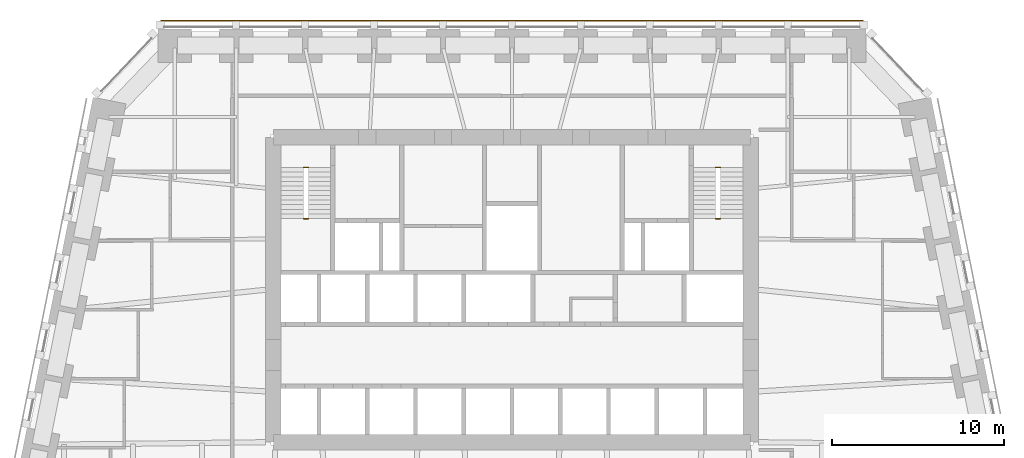
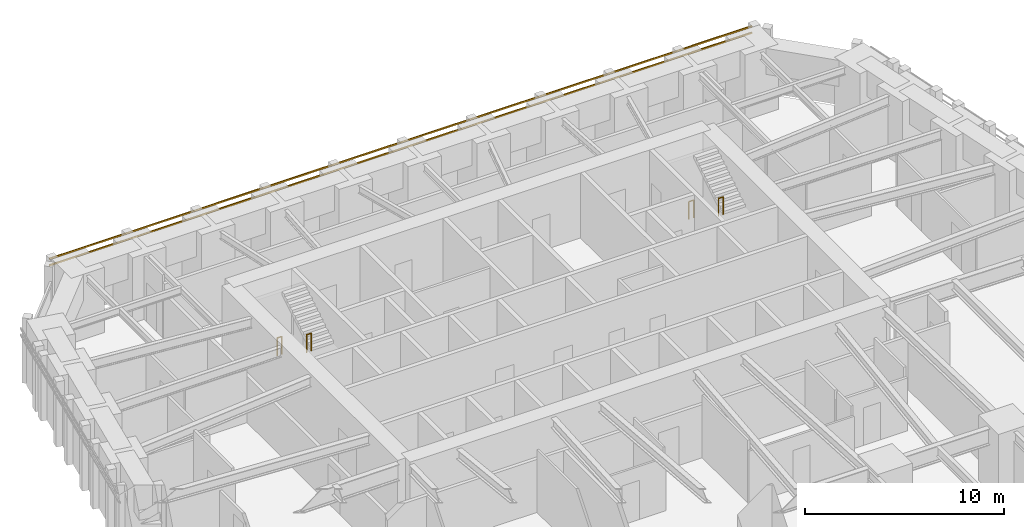
# One storey, part 16 of 16: 4 railings, 2 shading devices.
"""IFC4 building model written with IfcOpenShell, lengths in metres."""

from ifc_helpers import new_model, si_unit, direction, frame, origin, origin_2d, place, context, subcontext, project, spatial, rectangle, circle, extrude, material, material_profile, profile_set, type_object, element, save


model = new_model("IFC4")

# Units and contexts
model_context = context("Model", 3, precision=1e-05, world=origin(), true_north=direction((0.0, 1.0)))
body_context = subcontext(model_context, "Body", "Model", "MODEL_VIEW")
ifc_project = project(units=[si_unit("LENGTHUNIT", "METRE"), si_unit("AREAUNIT", "SQUARE_METRE"), si_unit("VOLUMEUNIT", "CUBIC_METRE"), si_unit("PLANEANGLEUNIT", "RADIAN"), si_unit("MASSUNIT", "GRAM", prefix="KILO")], contexts=[model_context])

# Site, building, storey
site_placement = place(None, origin())
site = spatial("IfcSite", under=ifc_project, at=site_placement, CompositionType="ELEMENT")
building_placement = place(site_placement, origin())
building = spatial("IfcBuilding", under=site, at=building_placement, Name="Isbrekke Arena Tower", CompositionType="ELEMENT")
storey_placement = place(building_placement, frame((0.0, 0.0, 52.0)))
storey = spatial("IfcBuildingStorey", under=building, at=storey_placement, Name="L10", CompositionType="ELEMENT", Elevation=52.0)

# Shading devices
ifc_material_1 = material(Name="Terracotta", Category="masonry")
ifc_material_profile = material_profile(ifc_material_1, rectangle(XDim=0.06005859375, YDim=0.06005859375, at=origin_2d()), Name="BAGUETTE 60X60")
ifc_profile_set = profile_set([ifc_material_profile], Name="Terracotta")
shading_device_type = type_object("IfcShadingDeviceType", Name="BG1 TERRACOTTA BAGUETTE 60 x 60", PredefinedType="USERDEFINED", material=ifc_profile_set)
for number, where, z_axis, x_axis, name in (
    (1, (20.39990234375, 30.6298828125, 3.280029296875), (-1.0, 0.0, 0.0), (0.0, -1.0, 0.0), "BG1 terracotta baguette N1 L10"),
    (2, (20.39990234375, 30.6298828125, 3.679931640625), (-1.0, 0.0, 0.0), (0.0, -1.0, 0.0), "BG1 terracotta baguette N2 L10"),
):
    element("IfcShadingDevice", number, at=place(storey_placement, frame(where, z_axis=z_axis, x_axis=x_axis)), inside=storey, type_object=shading_device_type, Name=name, ObjectType="TERRACOTTA BAGUETTE", PredefinedType="USERDEFINED", context=body_context, shape_type="SweptSolid", body=[
        extrude(rectangle(XDim=0.06005859375, YDim=0.06005859375, at=origin_2d()), origin(), (0.0, 0.0, 1.0), 40.7998046875),
    ])

# Railings
ifc_material_2 = material(Name="Steel stair guard, vertical bars, steel handrail", Category="steel")
railing_type = type_object("IfcRailingType", Name="GR3 STAIR WELL GUARD 1100", PredefinedType="GUARDRAIL", material=ifc_material_2)
for number, where, name in (
    (3, (-12.10009765625, 22.10009765625, 0.0), "GR3 stair well guard ST1 L10"),
    (4, (-12.10009765625, 19.1298828125, 2.0), "GR3 stair well guard ST1 L10"),
    (5, (11.824951171875, 22.10009765625, 0.0), "GR3 stair well guard ST2 L10"),
    (6, (11.824951171875, 19.1298828125, 2.0), "GR3 stair well guard ST2 L10"),
):
    element("IfcRailing", number, at=place(storey_placement, frame(where)), inside=storey, type_object=railing_type, Name=name, PredefinedType="GUARDRAIL", context=body_context, shape_type="SweptSolid", body=[
        extrude(circle(Radius=0.02392578125, at=origin_2d()), frame((0.0, 0.0, 1.076171875), z_axis=(1.0, 0.0, 0.0), x_axis=(0.0, 1.0, 0.0)), (0.0, 0.0, 1.0), 0.275146484375),
        extrude(circle(Radius=0.02099609375, at=origin_2d()), origin(), (0.0, 0.0, 1.0), 1.052001953125),
        extrude(circle(Radius=0.02099609375, at=origin_2d()), frame((0.275146484375, 0.0, 0.0)), (0.0, 0.0, 1.0), 1.052001953125),
    ])

save(model, "model.ifc")
